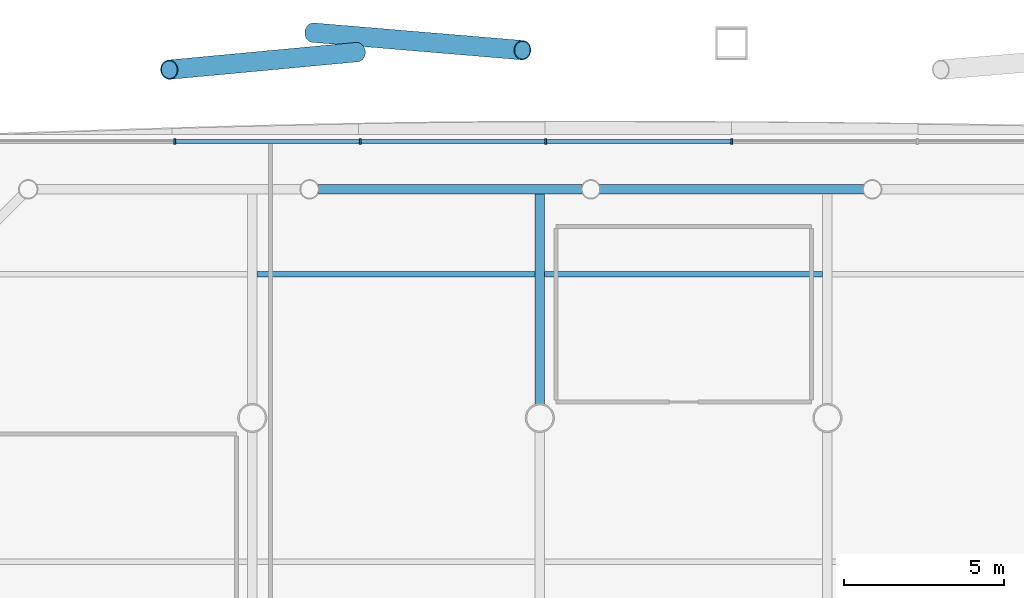
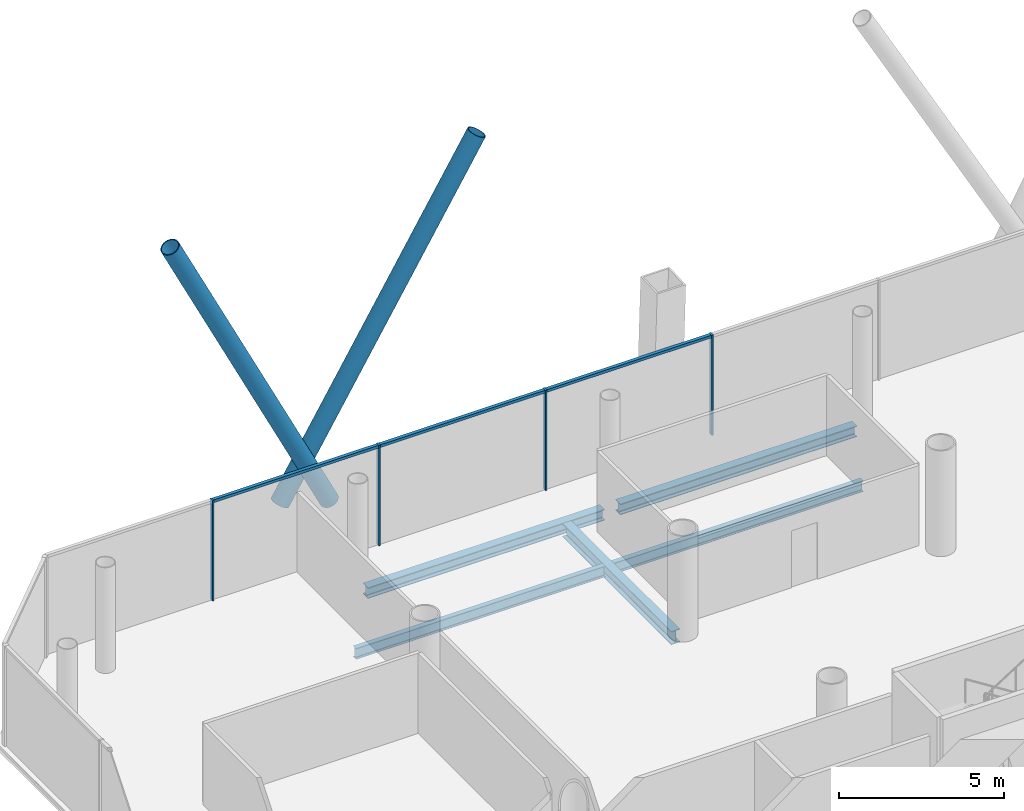
# One storey, part 12 of 25: 9 members, 5 beams, 1 element without a shape of its own.
"""IFC4 building model written with IfcOpenShell, lengths in metres."""

from ifc_helpers import new_model, si_unit, direction, frame, origin, origin_2d, place, context, subcontext, project, spatial, rectangle, hollow_circle, i_section, extrude, material, material_profile, profile_set, type_object, element, aggregate, save


model = new_model("IFC4")

# Units and contexts
model_context = context("Model", 3, precision=1e-05, world=origin(), true_north=direction((0.0, 1.0)))
body_context = subcontext(model_context, "Body", "Model", "MODEL_VIEW")
ifc_project = project(units=[si_unit("LENGTHUNIT", "METRE"), si_unit("AREAUNIT", "SQUARE_METRE"), si_unit("VOLUMEUNIT", "CUBIC_METRE"), si_unit("PLANEANGLEUNIT", "RADIAN"), si_unit("MASSUNIT", "GRAM", prefix="KILO")], contexts=[model_context])

# Site, building, storey
site_placement = place(None, origin())
site = spatial("IfcSite", under=ifc_project, at=site_placement, CompositionType="ELEMENT")
building_placement = place(site_placement, origin())
building = spatial("IfcBuilding", under=site, at=building_placement, Name="Tskaro Facet Tower", CompositionType="ELEMENT")
storey_placement = place(building_placement, frame((0.0, 0.0, 34.199951171875)))
storey = spatial("IfcBuildingStorey", under=building, at=storey_placement, Name="L07", CompositionType="ELEMENT", Elevation=34.199951171875)

# Members
ifc_material_1 = material(Name="Steel S355J2H", Category="steel")
ifc_material_profile_1 = material_profile(ifc_material_1, hollow_circle(Radius=0.304931640625, WallThickness=0.030029296875, at=origin_2d()), Name="CHS 610x30")
ifc_profile_set_1 = profile_set([ifc_material_profile_1], Name="Steel S355J2H")
member_type_1 = type_object("IfcMemberType", Name="CHS 610x30 brace", PredefinedType="BRACE", material=ifc_profile_set_1)
member_1_placement = place(storey_placement, frame((-14.7314453125, 29.449462890625, 0.0), z_axis=(-0.44778409282, -0.041803867485, 0.893163950728), x_axis=(0.092953006112, -0.995670497029, 0.0)))
element("IfcMember", 1, at=member_1_placement, inside=storey, type_object=member_type_1, Name="CHS 610x30 XB08A/1", PredefinedType="BRACE", context=body_context, shape_type="SweptSolid", body=[
    extrude(hollow_circle(Radius=0.304931640625, WallThickness=0.030029296875, at=origin_2d()), origin(), (0.0, 0.0, 1.0), 13.099365234375),
])
member_2_placement = place(storey_placement, frame((-16.090576171875, 30.0595703125, 0.0), z_axis=(0.487823530794, -0.040830884114, 0.871986835741), x_axis=(0.083408454157, 0.996515443822, 0.0)))
element("IfcMember", 2, at=member_2_placement, inside=storey, type_object=member_type_1, Name="CHS 610x30 XB08B/1", PredefinedType="BRACE", context=body_context, shape_type="SweptSolid", body=[
    extrude(hollow_circle(Radius=0.304931640625, WallThickness=0.030029296875, at=origin_2d()), origin(), (0.0, 0.0, 1.0), 13.41748046875),
])

# Curtain wall, members
ifc_material_2 = material(Name="Bronze anodised aluminium 6063-T6", Category="aluminium")
curtain_wall_type = type_object("IfcCurtainWallType", Name="Bronze office curtain wall (FW1)", PredefinedType="NOTDEFINED", material=ifc_material_2)
curtain_wall_placement = place(storey_placement, origin())
curtain_wall = element("IfcCurtainWall", 3, at=curtain_wall_placement, inside=storey, type_object=curtain_wall_type, Name="FW1 north facet L07", PredefinedType="NOTDEFINED")
ifc_material_profile_2 = material_profile(ifc_material_2, rectangle(XDim=0.06005859375, YDim=0.159912109375, at=origin_2d()), Name="Mullion 60x160")
ifc_profile_set_2 = profile_set([ifc_material_profile_2], Name="Bronze anodised aluminium 6063-T6")
member_type_2 = type_object("IfcMemberType", Name="FW1 bronze mullion 60x160", PredefinedType="MULLION", material=ifc_profile_set_2)
member_3_placement = place(storey_placement, frame((-3.0, 26.654052734375, 0.0), z_axis=(0.0, 0.0, 1.0), x_axis=(-1.0, 0.0, 0.0)))
member_3 = element("IfcMember", 4, at=member_3_placement, type_object=member_type_2, Name="FW1 north mullion 4", PredefinedType="MULLION", context=body_context, shape_type="SweptSolid", body=[
    extrude(rectangle(XDim=0.06005859375, YDim=0.159912109375, at=origin_2d()), origin(), (0.0, 0.0, 1.0), 3.699951171875),
])
member_4_placement = place(storey_placement, frame((-8.808837890625, 26.654052734375, 0.0), z_axis=(0.0, 0.0, 1.0), x_axis=(-1.0, 0.0, 0.0)))
member_4 = element("IfcMember", 5, at=member_4_placement, type_object=member_type_2, Name="FW1 north mullion 5", PredefinedType="MULLION", context=body_context, shape_type="SweptSolid", body=[
    extrude(rectangle(XDim=0.06005859375, YDim=0.159912109375, at=origin_2d()), origin(), (0.0, 0.0, 1.0), 3.699951171875),
])
member_5_placement = place(storey_placement, frame((-14.617431640625, 26.654052734375, 0.0), z_axis=(0.0, 0.0, 1.0), x_axis=(-1.0, 0.0, 0.0)))
member_5 = element("IfcMember", 6, at=member_5_placement, type_object=member_type_2, Name="FW1 north mullion 6", PredefinedType="MULLION", context=body_context, shape_type="SweptSolid", body=[
    extrude(rectangle(XDim=0.06005859375, YDim=0.159912109375, at=origin_2d()), origin(), (0.0, 0.0, 1.0), 3.699951171875),
])
member_6_placement = place(storey_placement, frame((-20.42626953125, 26.654052734375, 0.0), z_axis=(0.0, 0.0, 1.0), x_axis=(-1.0, 0.0, 0.0)))
member_6 = element("IfcMember", 7, at=member_6_placement, type_object=member_type_2, Name="FW1 north mullion 7", PredefinedType="MULLION", context=body_context, shape_type="SweptSolid", body=[
    extrude(rectangle(XDim=0.06005859375, YDim=0.159912109375, at=origin_2d()), origin(), (0.0, 0.0, 1.0), 3.699951171875),
])
ifc_material_profile_3 = material_profile(ifc_material_2, rectangle(XDim=0.1201171875, YDim=0.10009765625, at=origin_2d()), Name="Transom 120x100")
ifc_profile_set_3 = profile_set([ifc_material_profile_3], Name="Bronze anodised aluminium 6063-T6")
member_type_3 = type_object("IfcMemberType", Name="FW1 bronze transom 120x100", PredefinedType="USERDEFINED", material=ifc_profile_set_3)
member_7_placement = place(storey_placement, frame((-3.030029296875, 26.654052734375, 3.650146484375), z_axis=(-1.0, 0.0, 0.0), x_axis=(0.0, -1.0, 0.0)))
member_7 = element("IfcMember", 8, at=member_7_placement, type_object=member_type_3, Name="FW1 north transom 5.1", ObjectType="TRANSOM", PredefinedType="USERDEFINED", context=body_context, shape_type="SweptSolid", body=[
    extrude(rectangle(XDim=0.1201171875, YDim=0.10009765625, at=origin_2d()), origin(), (0.0, 0.0, 1.0), 5.748779296875),
])
member_8_placement = place(storey_placement, frame((-8.8388671875, 26.654052734375, 3.650146484375), z_axis=(-1.0, 0.0, 0.0), x_axis=(0.0, -1.0, 0.0)))
member_8 = element("IfcMember", 9, at=member_8_placement, type_object=member_type_3, Name="FW1 north transom 6.1", ObjectType="TRANSOM", PredefinedType="USERDEFINED", context=body_context, shape_type="SweptSolid", body=[
    extrude(rectangle(XDim=0.1201171875, YDim=0.10009765625, at=origin_2d()), origin(), (0.0, 0.0, 1.0), 5.74853515625),
])
member_9_placement = place(storey_placement, frame((-14.6474609375, 26.654052734375, 3.650146484375), z_axis=(-1.0, 0.0, 0.0), x_axis=(0.0, -1.0, 0.0)))
member_9 = element("IfcMember", 10, at=member_9_placement, type_object=member_type_3, Name="FW1 north transom 7.1", ObjectType="TRANSOM", PredefinedType="USERDEFINED", context=body_context, shape_type="SweptSolid", body=[
    extrude(rectangle(XDim=0.1201171875, YDim=0.10009765625, at=origin_2d()), origin(), (0.0, 0.0, 1.0), 5.748779296875),
])
aggregate(curtain_wall, [member_3, member_4, member_5, member_6, member_7, member_8, member_9])

# Beams
ifc_material_3 = material(Name="Steel S355J2", Category="steel")
ifc_material_profile_4 = material_profile(ifc_material_3, i_section(OverallWidth=0.300048828125, OverallDepth=0.39990234375, WebThickness=0.013427734375, FlangeThickness=0.02392578125, FilletRadius=0.027099609375, at=origin_2d()), Name="HE 400 B")
ifc_profile_set_4 = profile_set([ifc_material_profile_4], Name="Steel S355J2")
beam_type_1 = type_object("IfcBeamType", Name="HE 400 B ring beam", PredefinedType="BEAM", material=ifc_profile_set_4)
beam_1_placement = place(storey_placement, frame((1.126953125, 25.156982421875, -0.33984375), z_axis=(-1.0, 0.0, 0.0), x_axis=(0.0, -1.0, 0.0)))
element("IfcBeam", 11, at=beam_1_placement, inside=storey, type_object=beam_type_1, Name="HE 400 B EB16-1", PredefinedType="BEAM", context=body_context, shape_type="SweptSolid", body=[
    extrude(i_section(OverallWidth=0.300048828125, OverallDepth=0.39990234375, WebThickness=0.013427734375, FlangeThickness=0.02392578125, FilletRadius=0.027099609375, at=origin_2d()), origin(), (0.0, 0.0, 1.0), 8.25390625),
])
beam_2_placement = place(storey_placement, frame((-7.677001953125, 25.156982421875, -0.33984375), z_axis=(-1.0, 0.0, 0.0), x_axis=(0.0, -1.0, 0.0)))
element("IfcBeam", 12, at=beam_2_placement, inside=storey, type_object=beam_type_1, Name="HE 400 B EB17-1", PredefinedType="BEAM", context=body_context, shape_type="SweptSolid", body=[
    extrude(i_section(OverallWidth=0.300048828125, OverallDepth=0.39990234375, WebThickness=0.013427734375, FlangeThickness=0.02392578125, FilletRadius=0.027099609375, at=origin_2d()), origin(), (0.0, 0.0, 1.0), 8.2548828125),
])
ifc_material_profile_5 = material_profile(ifc_material_3, i_section(OverallWidth=0.300048828125, OverallDepth=0.489990234375, WebThickness=0.011962890625, FlangeThickness=0.02294921875, FilletRadius=0.027099609375, at=origin_2d()), Name="HE 500 A")
ifc_profile_set_5 = profile_set([ifc_material_profile_5], Name="Steel S355J2")
beam_type_2 = type_object("IfcBeamType", Name="HE 500 A girder", PredefinedType="BEAM", material=ifc_profile_set_5)
beam_3_placement = place(storey_placement, frame((-9.0, 18.42724609375, -0.385009765625), z_axis=(0.0, 1.0, 0.0), x_axis=(-1.0, 0.0, 0.0)))
element("IfcBeam", 13, at=beam_3_placement, inside=storey, type_object=beam_type_2, Name="HE 500 A GB3-5-1", PredefinedType="BEAM", context=body_context, shape_type="SweptSolid", body=[
    extrude(i_section(OverallWidth=0.300048828125, OverallDepth=0.489990234375, WebThickness=0.011962890625, FlangeThickness=0.02294921875, FilletRadius=0.027099609375, at=origin_2d()), origin(), (0.0, 0.0, 1.0), 6.579833984375),
])
ifc_material_profile_6 = material_profile(ifc_material_3, i_section(OverallWidth=0.179931640625, OverallDepth=0.39990234375, WebThickness=0.008544921875, FlangeThickness=0.013427734375, FilletRadius=0.02099609375, at=origin_2d()), Name="IPE 400")
ifc_profile_set_6 = profile_set([ifc_material_profile_6], Name="Steel S355J2")
beam_type_3 = type_object("IfcBeamType", Name="IPE 400 secondary beam", PredefinedType="BEAM", material=ifc_profile_set_6)
for number, where, z_axis, x_axis, name in (
    (14, (-17.85009765625, 22.5, -0.33984375), (1.0, 0.0, 0.0), (0.0, 1.0, 0.0), "IPE 400 SB6a-2-1"),
    (15, (-8.85009765625, 22.5, -0.33984375), (1.0, 0.0, 0.0), (0.0, 1.0, 0.0), "IPE 400 SB6a-3-1"),
):
    element("IfcBeam", number, at=place(storey_placement, frame(where, z_axis=z_axis, x_axis=x_axis)), inside=storey, type_object=beam_type_3, Name=name, PredefinedType="BEAM", context=body_context, shape_type="SweptSolid", body=[
        extrude(i_section(OverallWidth=0.179931640625, OverallDepth=0.39990234375, WebThickness=0.008544921875, FlangeThickness=0.013427734375, FilletRadius=0.02099609375, at=origin_2d()), origin(), (0.0, 0.0, 1.0), 8.7001953125),
    ])

save(model, "model.ifc")
